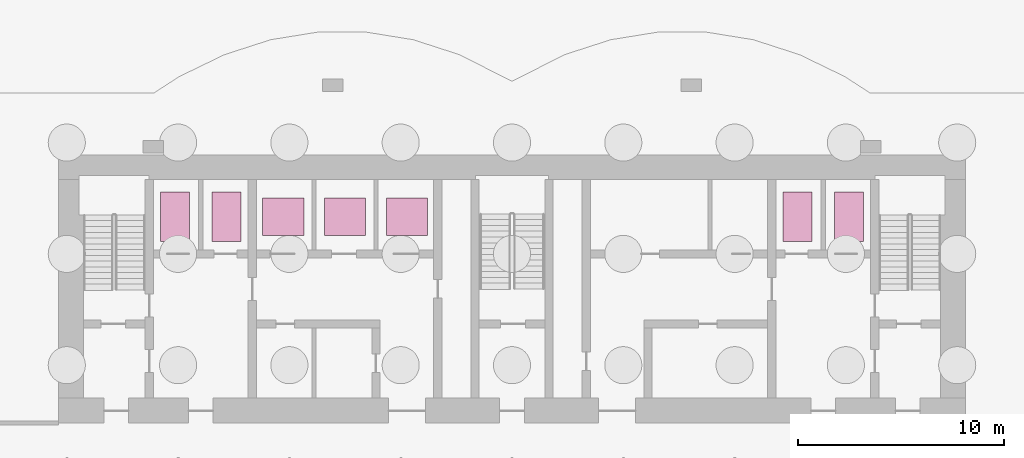
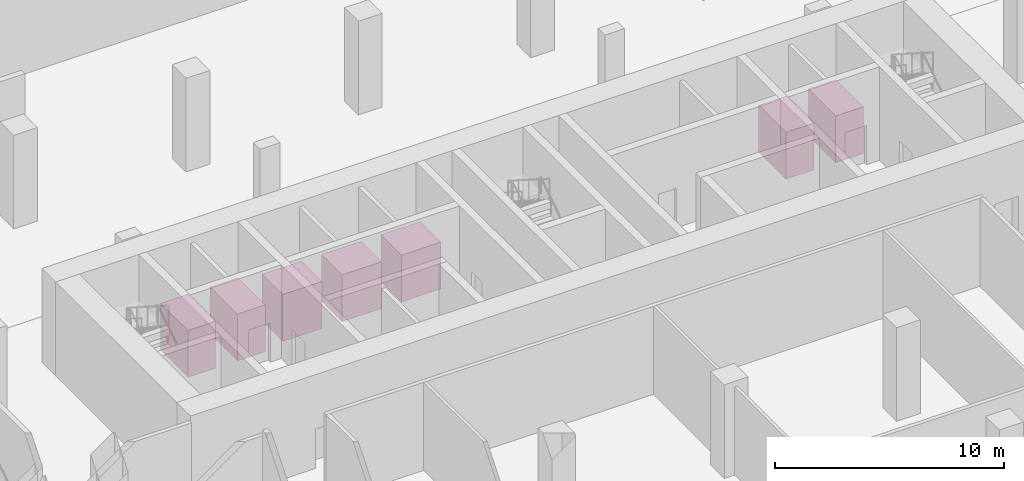
# One storey, part 10 of 10: 7 transport elements.
"""IFC4 building model written with IfcOpenShell, lengths in metres."""

from ifc_helpers import new_model, si_unit, direction, frame, origin, origin_2d, place, context, subcontext, project, spatial, rectangle, extrude, material, type_object, element, save


model = new_model("IFC4")

# Units and contexts
model_context = context("Model", 3, precision=1e-05, world=origin(), true_north=direction((0.0, 1.0)))
body_context = subcontext(model_context, "Body", "Model", "MODEL_VIEW")
ifc_project = project(units=[si_unit("LENGTHUNIT", "METRE"), si_unit("AREAUNIT", "SQUARE_METRE"), si_unit("VOLUMEUNIT", "CUBIC_METRE"), si_unit("PLANEANGLEUNIT", "RADIAN"), si_unit("MASSUNIT", "GRAM", prefix="KILO")], contexts=[model_context])

# Site, building, storey
site_placement = place(None, origin())
site = spatial("IfcSite", under=ifc_project, at=site_placement, CompositionType="ELEMENT")
building_placement = place(site_placement, origin())
building = spatial("IfcBuilding", under=site, at=building_placement, Name="Bicima Exchange Tower", CompositionType="ELEMENT")
storey_placement = place(building_placement, frame((0.0, 0.0, -15.0)))
storey = spatial("IfcBuildingStorey", under=building, at=storey_placement, Name="B3", CompositionType="ELEMENT", Elevation=-15.0)

# Transport elements
ifc_material = material(Name="Stainless steel", Category="steel")
transport_element_type_1 = type_object("IfcTransportElementType", Name="Firefighting lift car 1400 x 2400", PredefinedType="ELEVATOR", material=ifc_material)
for number, where, z_axis, x_axis, name in (
    (1, (-16.35009765625, -3.0, 0.0), (0.0, 0.0, 1.0), (1.0, 0.0, 0.0), "FF1"),
    (2, (-13.85009765625, -3.0, 0.0), (0.0, 0.0, 1.0), (1.0, 0.0, 0.0), "FF3"),
    (3, (13.85009765625, -3.0, 0.0), (0.0, 0.0, 1.0), (1.0, 0.0, 0.0), "FF2"),
):
    element("IfcTransportElement", number, at=place(storey_placement, frame(where, z_axis=z_axis, x_axis=x_axis)), inside=storey, type_object=transport_element_type_1, Name=name, PredefinedType="ELEVATOR", context=body_context, shape_type="SweptSolid", body=[
        extrude(rectangle(XDim=1.39990234375, YDim=2.39990234375, at=origin_2d()), origin(), (0.0, 0.0, 1.0), 2.5),
    ])
transport_element_type_2 = type_object("IfcTransportElementType", Name="Low-rise passenger lift car 2000 x 1800", PredefinedType="ELEVATOR", material=ifc_material)
for number, where, z_axis, x_axis, name in (
    (4, (-11.10009765625, -3.0, 0.0), (0.0, 0.0, 1.0), (1.0, 0.0, 0.0), "LB1"),
    (5, (-8.10009765625, -3.0, 0.0), (0.0, 0.0, 1.0), (1.0, 0.0, 0.0), "LB2"),
    (6, (-5.10009765625, -3.0, 0.0), (0.0, 0.0, 1.0), (1.0, 0.0, 0.0), "LB3"),
):
    element("IfcTransportElement", number, at=place(storey_placement, frame(where, z_axis=z_axis, x_axis=x_axis)), inside=storey, type_object=transport_element_type_2, Name=name, PredefinedType="ELEVATOR", context=body_context, shape_type="SweptSolid", body=[
        extrude(rectangle(XDim=2.0, YDim=1.800048828125, at=origin_2d()), origin(), (0.0, 0.0, 1.0), 2.5),
    ])
transport_element_type_3 = type_object("IfcTransportElementType", Name="Service lift car 1400 x 2400", PredefinedType="ELEVATOR", material=ifc_material)
transport_element_placement = place(storey_placement, frame((16.35009765625, -3.0, 0.0), z_axis=(0.0, 0.0, 1.0), x_axis=(1.0, 0.0, 0.0)))
element("IfcTransportElement", 7, at=transport_element_placement, inside=storey, type_object=transport_element_type_3, Name="SV1", PredefinedType="ELEVATOR", context=body_context, shape_type="SweptSolid", body=[
    extrude(rectangle(XDim=1.39990234375, YDim=2.39990234375, at=origin_2d()), origin(), (0.0, 0.0, 1.0), 2.5),
])

save(model, "model.ifc")
